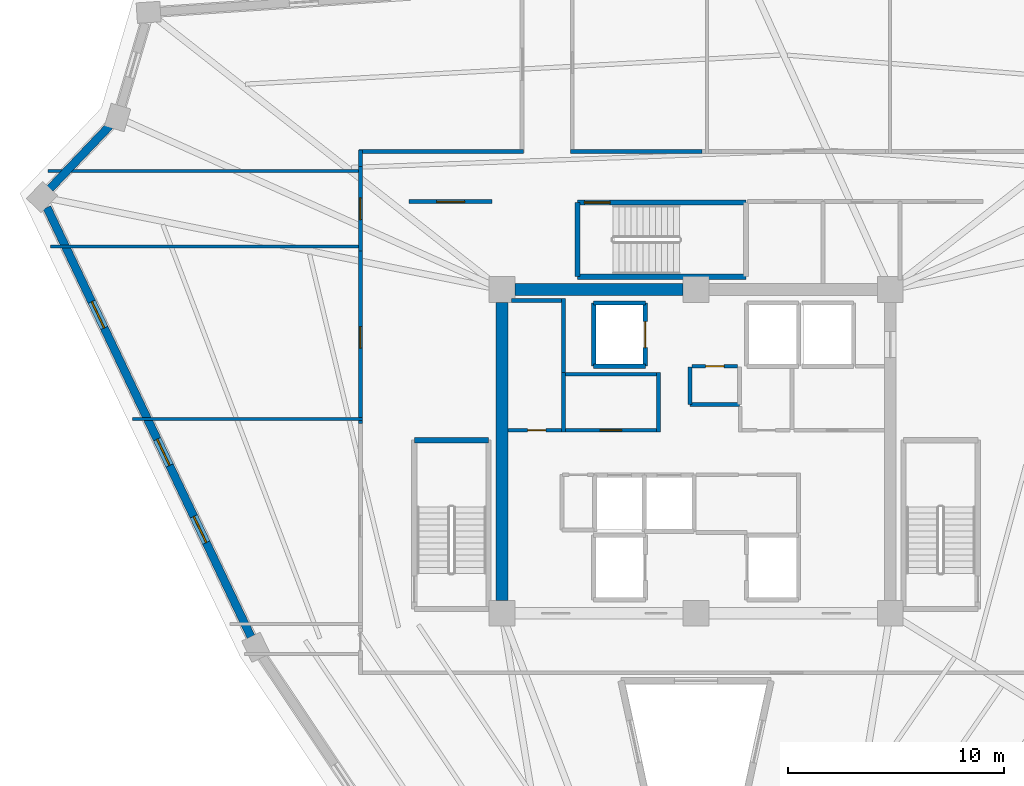
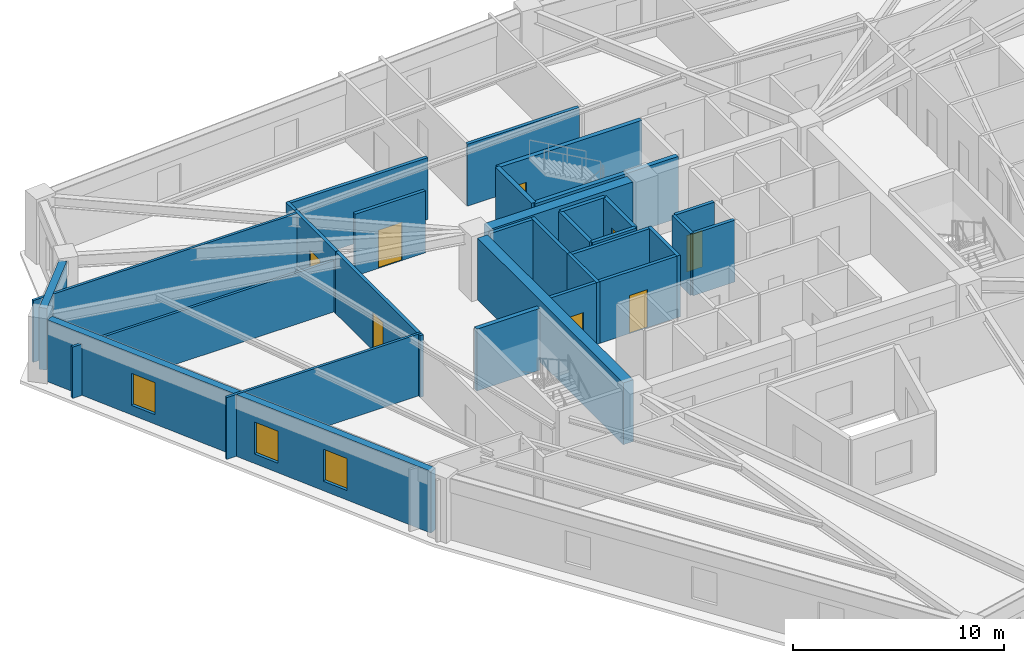
# One storey, part 5 of 8: 31 walls, 8 doors, 3 windows, 11 openings.
"""IFC4 building model written with IfcOpenShell, lengths in metres."""

import ifcopenshell
import ifcopenshell.guid

model = None  # the IFC model being written
_history = None  # IfcOwnerHistory: only IFC2X3 demands one
_inside = {}  # id of a spatial element -> (the spatial element, [elements in it])
_under = {}  # id of a project, library or spatial element -> (it, [spatial elements below it])
_declared = {}  # id of a project -> (the project, [libraries it declares])
_typed = {}  # id of a type object -> (the type object, [elements of that type])
_made_of = {}  # id of a material, layer set ... -> (it, [elements and type objects made of it])


def new_model(schema):
    """Start an empty IFC model of exactly this schema.

    Asked for "IFC4X3", IfcOpenShell would pick the latest addendum, in which some entities
    have other attributes; the version numbers below select the first issue.
    IFC2X3 requires an IfcOwnerHistory on every rooted entity: one is made here for all.
    """
    global model, _history
    if schema == "IFC4X3":
        model = ifcopenshell.file(schema_version=(4, 3, 0, 0))
    else:
        model = ifcopenshell.file(schema=schema)
    _inside.clear()
    _under.clear()
    _declared.clear()
    _typed.clear()
    _made_of.clear()
    _history = None
    if model.schema == "IFC2X3":
        org = make("IfcOrganization", Name="unknown")
        user = make(
            "IfcPersonAndOrganization",
            ThePerson=make("IfcPerson", FamilyName="unknown"),
            TheOrganization=org,
        )
        app = make(
            "IfcApplication",
            ApplicationDeveloper=org,
            Version="unknown",
            ApplicationFullName="unknown",
            ApplicationIdentifier="unknown",
        )
        _history = make(
            "IfcOwnerHistory",
            OwningUser=user,
            OwningApplication=app,
            ChangeAction="ADDED",
            CreationDate=0,
        )
    return model


def make(cls, **values):
    """One entity of the class cls with the attributes given. An attribute that is None is left unset."""
    return model.create_entity(
        cls, **{name: value for name, value in values.items() if value is not None}
    )


def rooted(cls, **values):
    """An entity with a GlobalId (a new one), such as an element, a storey or a relation."""
    return make(cls, GlobalId=ifcopenshell.guid.new(), OwnerHistory=_history, **values)


def si_unit(unit_type, name, prefix=None):
    """IfcSIUnit, for example si_unit("LENGTHUNIT", "METRE", prefix="MILLI")."""
    return make("IfcSIUnit", UnitType=unit_type, Prefix=prefix, Name=name)


def assignment(units):
    """IfcUnitAssignment: the units of a project."""
    return None if units is None else make("IfcUnitAssignment", Units=units)


def point(xyz):
    """IfcCartesianPoint."""
    return None if xyz is None else make("IfcCartesianPoint", Coordinates=xyz)


def direction(xyz):
    """IfcDirection."""
    return None if xyz is None else make("IfcDirection", DirectionRatios=xyz)


def frame(location, z_axis=None, x_axis=None):
    """IfcAxis2Placement3D, a coordinate frame: its origin and axes. An axis left out is left unset."""
    return make(
        "IfcAxis2Placement3D",
        Location=point(location),
        Axis=direction(z_axis),
        RefDirection=direction(x_axis),
    )


def frame_2d(location, x_axis=None):
    """IfcAxis2Placement2D, a coordinate frame in the plane: its origin and x axis."""
    return make(
        "IfcAxis2Placement2D", Location=point(location), RefDirection=direction(x_axis)
    )


def origin():
    """The frame at (0, 0, 0) with its axes left unset."""
    return frame((0.0, 0.0, 0.0))


def place(relative_to, where):
    """IfcLocalPlacement: puts the frame where relative to a parent placement (None: the world)."""
    return make(
        "IfcLocalPlacement", PlacementRelTo=relative_to, RelativePlacement=where
    )


def context(
    kind, dimensions, precision=None, world=None, true_north=None, identifier=None
):
    """IfcGeometricRepresentationContext, for example the 3D "Model" context."""
    return make(
        "IfcGeometricRepresentationContext",
        ContextIdentifier=identifier,
        ContextType=kind,
        CoordinateSpaceDimension=dimensions,
        Precision=precision,
        WorldCoordinateSystem=world,
        TrueNorth=true_north,
    )


def subcontext(parent, identifier, kind, view, scale=None):
    """IfcGeometricRepresentationSubContext, for example "Body" below "Model"."""
    return make(
        "IfcGeometricRepresentationSubContext",
        ContextIdentifier=identifier,
        ContextType=kind,
        ParentContext=parent,
        TargetScale=scale,
        TargetView=view,
    )


def project(units=None, contexts=None):
    """IfcProject with its units and contexts."""
    return rooted(
        "IfcProject",
        Name="project",
        RepresentationContexts=contexts,
        UnitsInContext=assignment(units),
    )


def spatial(cls, under=None, at=None, **own):
    """A site, building, storey or space (cls), placed at a placement, below another one or the project."""
    s = rooted(cls, ObjectPlacement=at, **own)
    if under is not None:
        _under.setdefault(under.id(), (under, []))[1].append(s)
    return s


def profile(cls, at=None, kind="AREA", **sizes):
    """A parametric profile (cls). Its sizes go by their IFC names, for example OverallWidth=200.0."""
    return make(cls, ProfileType=kind, Position=at, **sizes)


def rectangle(**sizes):
    """IfcRectangleProfileDef."""
    return profile("IfcRectangleProfileDef", **sizes)


def extrude(swept, where, along, depth):
    """IfcExtrudedAreaSolid: the profile swept, set in the frame where, extruded along a direction by depth."""
    return make(
        "IfcExtrudedAreaSolid",
        SweptArea=swept,
        Position=where,
        ExtrudedDirection=direction(along),
        Depth=depth,
    )


def shape(context_of_items, identifier, shape_type, items):
    """IfcShapeRepresentation: the items that make up one representation, for example the "Body"."""
    return make(
        "IfcShapeRepresentation",
        ContextOfItems=context_of_items,
        RepresentationIdentifier=identifier,
        RepresentationType=shape_type,
        Items=items,
    )


def source(mapping_origin, context_of_items, identifier, shape_type, items):
    """IfcRepresentationMap: a shape defined once, which mapped items show again and again."""
    return make(
        "IfcRepresentationMap",
        MappingOrigin=mapping_origin,
        MappedRepresentation=shape(context_of_items, identifier, shape_type, items),
    )


def transform(
    local_origin,
    x_axis=None,
    y_axis=None,
    z_axis=None,
    scale=None,
    scale2=None,
    scale3=None,
    uniform=True,
):
    """IfcCartesianTransformationOperator3D, or its non-uniform kind. x_axis, y_axis, z_axis: its Axis1, 2, 3."""
    if uniform:
        return make(
            "IfcCartesianTransformationOperator3D",
            Axis1=direction(x_axis),
            Axis2=direction(y_axis),
            LocalOrigin=point(local_origin),
            Scale=scale,
            Axis3=direction(z_axis),
        )
    return make(
        "IfcCartesianTransformationOperator3DnonUniform",
        Axis1=direction(x_axis),
        Axis2=direction(y_axis),
        LocalOrigin=point(local_origin),
        Scale=scale,
        Axis3=direction(z_axis),
        Scale2=scale2,
        Scale3=scale3,
    )


def mapped(mapping_source, mapping_target):
    """IfcMappedItem: shows the shape of a source again, moved by a transform."""
    return make(
        "IfcMappedItem", MappingSource=mapping_source, MappingTarget=mapping_target
    )


def material(Name=None, Category=None):
    """IfcMaterial."""
    return make("IfcMaterial", Name=Name, Category=Category)


def layer(
    of_material, thickness, ventilated=None, Name=None, Category=None, Priority=None
):
    """IfcMaterialLayer: one layer of a wall or slab, of a material (None: an air gap)."""
    return make(
        "IfcMaterialLayer",
        Material=of_material,
        LayerThickness=thickness,
        IsVentilated=ventilated,
        Name=Name,
        Category=Category,
        Priority=Priority,
    )


def layer_set(layers, Name=None):
    """IfcMaterialLayerSet."""
    return make("IfcMaterialLayerSet", MaterialLayers=layers, LayerSetName=Name)


def made_of(thing, what):
    """Note that an element or type object is made of a material, layer set ...; save() writes the relation."""
    if what is not None:
        _made_of.setdefault(what.id(), (what, []))[1].append(thing)
    return thing


def type_object(cls, material=None, **own):
    """A type object (cls), such as IfcWallType, which elements share."""
    return made_of(rooted(cls, **own), material)


def element(
    cls,
    number,
    at=None,
    inside=None,
    cuts=None,
    type_object=None,
    material=None,
    context=None,
    identifier="Body",
    shape_type=None,
    held_by="IfcProductDefinitionShape",
    body=None,
    shapes=None,
    **own,
):
    """One element of the class cls, such as IfcWall. Its Tag is "e" and its number.

    at: its placement. inside: the storey or other place that contains it. cuts: it is an
    opening in that element (IfcRelVoidsElement). A single representation is given by context,
    identifier, shape_type and body (its items); several are given by shapes. held_by: the class
    of the entity that holds the representations. save() writes the other relations.
    """
    e = rooted(cls, Tag="e%d" % number, ObjectPlacement=at, **own)
    if body is not None:
        shapes = [shape(context, identifier, shape_type, body)]
    if shapes is not None:
        e.Representation = make(held_by, Representations=shapes)
    if inside is not None:
        _inside.setdefault(inside.id(), (inside, []))[1].append(e)
    if cuts is not None:
        rooted(
            "IfcRelVoidsElement", RelatingBuildingElement=cuts, RelatedOpeningElement=e
        )
    if type_object is not None:
        _typed.setdefault(type_object.id(), (type_object, []))[1].append(e)
    return made_of(e, material)


def fill(opening, filler):
    """IfcRelFillsElement: the door or window that sits in an opening."""
    return rooted(
        "IfcRelFillsElement",
        RelatingOpeningElement=opening,
        RelatedBuildingElement=filler,
    )


def aggregate(whole, parts):
    """IfcRelAggregates: a whole, such as a stair, and the parts it consists of."""
    return rooted("IfcRelAggregates", RelatingObject=whole, RelatedObjects=parts)


def save(model, path):
    """Write the relations noted so far, then the file.

    IfcRelAggregates (storeys below a building ...), IfcRelContainedInSpatialStructure (elements
    in a storey), IfcRelDefinesByType, IfcRelAssociatesMaterial and IfcRelDeclares: one each for
    every whole, place, type object, material and project.
    """
    for whole, parts in _under.values():
        aggregate(whole, parts)
    for where, things in _inside.values():
        rooted(
            "IfcRelContainedInSpatialStructure",
            RelatedElements=things,
            RelatingStructure=where,
        )
    for kind, things in _typed.values():
        rooted("IfcRelDefinesByType", RelatedObjects=things, RelatingType=kind)
    for what, things in _made_of.values():
        rooted("IfcRelAssociatesMaterial", RelatedObjects=things, RelatingMaterial=what)
    for by, libraries in _declared.values():
        rooted("IfcRelDeclares", RelatingContext=by, RelatedDefinitions=libraries)
    model.write(path)


model = new_model("IFC4")

# Units and contexts
model_context = context("Model", 3, precision=1e-05, world=origin(), true_north=direction((0.0, 1.0)))
body_context = subcontext(model_context, "Body", "Model", "MODEL_VIEW")
ifc_project = project(units=[si_unit("LENGTHUNIT", "METRE"), si_unit("AREAUNIT", "SQUARE_METRE"), si_unit("VOLUMEUNIT", "CUBIC_METRE"), si_unit("PLANEANGLEUNIT", "RADIAN"), si_unit("MASSUNIT", "GRAM", prefix="KILO")], contexts=[model_context])

# Site, building, storey
site_placement = place(None, origin())
site = spatial("IfcSite", under=ifc_project, at=site_placement, CompositionType="ELEMENT")
building_placement = place(site_placement, origin())
building = spatial("IfcBuilding", under=site, at=building_placement, Name="Liaohun Quay Tower", CompositionType="ELEMENT")
storey_placement = place(building_placement, frame((0.0, 0.0, 301.5)))
storey = spatial("IfcBuildingStorey", under=building, at=storey_placement, Name="L78", CompositionType="ELEMENT", Elevation=301.5)

# Walls
ifc_material_1 = material(Name="Concrete C50", Category="concrete")
ifc_layer_1 = layer(ifc_material_1, 0.550048828125, Name="Concrete C50", Category="concrete")
ifc_layer_set_1 = layer_set([ifc_layer_1], Name="Concrete C50")
wall_type_1 = type_object("IfcWallType", Name="WAL-COR-Z4", PredefinedType="SHEAR", material=ifc_layer_set_1)
wall_1_placement = place(storey_placement, frame((51.60009765625, 61.5, 0.0), z_axis=(0.0, 0.0, 1.0), x_axis=(1.0, 0.0, 0.0)))
element("IfcWall", 1, at=wall_1_placement, inside=storey, type_object=wall_type_1, Name="L78 Central Core Shear Wall N-W", PredefinedType="SHEAR", context=body_context, shape_type="SweptSolid", body=[
    extrude(rectangle(XDim=7.7998046875, YDim=0.550048828125, at=frame_2d((3.89990234375, 0.0))), origin(), (0.0, 0.0, 1.0), 3.570068359375),
])
wall_2_placement = place(storey_placement, frame((51.0, 47.10009765625, 0.0), z_axis=(0.0, 0.0, 1.0), x_axis=(0.0, 1.0, 0.0)))
element("IfcWall", 2, at=wall_2_placement, inside=storey, type_object=wall_type_1, Name="L78 Central Core Shear Wall W", PredefinedType="SHEAR", context=body_context, shape_type="SweptSolid", body=[
    extrude(rectangle(XDim=13.7998046875, YDim=0.550048828125, at=frame_2d((6.89990234375, 0.0))), origin(), (0.0, 0.0, 1.0), 3.570068359375),
])
ifc_material_2 = material(Name="Precast concrete C50 insulated sandwich", Category="concrete")
ifc_layer_2 = layer(ifc_material_2, 0.3798828125, Name="Precast concrete C50 insulated sandwich", Category="concrete")
ifc_layer_set_2 = layer_set([ifc_layer_2], Name="Precast concrete C50 insulated sandwich")
wall_type_2 = type_object("IfcWallType", Name="WAL-EXT-Z34", PredefinedType="SOLIDWALL", material=ifc_layer_set_2)
wall_3_placement = place(storey_placement, frame((32.81591796875, 69.089111328125, 0.0), z_axis=(0.0, 0.0, 1.0), x_axis=(-0.689291723618, -0.72448389889, 0.0)))
element("IfcWall", 3, at=wall_3_placement, inside=storey, type_object=wall_type_2, Name="L78 Brutalist Precast Pier Wall 09", PredefinedType="SOLIDWALL", context=body_context, shape_type="SweptSolid", body=[
    extrude(rectangle(XDim=4.009765625, YDim=0.3798828125, at=frame_2d((2.0048828125, 0.0))), origin(), (0.0, 0.0, 1.0), 3.570068359375),
])

# Wall, openings, windows
wall_4_placement = place(storey_placement, frame((29.912109375, 65.304931640625, 0.0), z_axis=(0.0, 0.0, 1.0), x_axis=(0.429331226257, -0.903147107708, 0.0)))
wall_4 = element("IfcWall", 4, at=wall_4_placement, inside=storey, type_object=wall_type_2, Name="L78 Brutalist Precast Pier Wall 10", PredefinedType="SOLIDWALL", context=body_context, shape_type="SweptSolid", body=[
    extrude(rectangle(XDim=22.029541015625, YDim=0.3798828125, at=frame_2d((11.0146484375, 0.0))), origin(), (0.0, 0.0, 1.0), 3.570068359375),
])
shared_shape_1 = source(origin(), body_context, "Body", "SweptSolid", [
    extrude(rectangle(XDim=1.35009765625, YDim=1.85009765625, at=frame_2d((0.675048828125, 0.925048828125))), frame((0.0, 0.199951171875, 0.0), z_axis=(0.0, -1.0, 0.0), x_axis=(1.0, 0.0, 0.0)), (0.0, 0.0, 1.0), 0.39990234375),
])
opening_1_placement = place(wall_4_placement, frame((4.83203125, 0.0, 0.550048828125)))
opening_1 = element("IfcOpeningElement", 5, at=opening_1_placement, cuts=wall_4, Name="Opening W04", PredefinedType="OPENING", context=body_context, shape_type="MappedRepresentation", body=[
    mapped(shared_shape_1, transform((0.0, 0.0, 0.0), x_axis=(1.0, 0.0, 0.0), y_axis=(0.0, 1.0, 0.0), z_axis=(0.0, 0.0, 1.0), scale=1.0)),
])
opening_2_placement = place(wall_4_placement, frame((11.889892578125, 0.0, 0.550048828125)))
opening_2 = element("IfcOpeningElement", 6, at=opening_2_placement, cuts=wall_4, Name="Opening W04", PredefinedType="OPENING", context=body_context, shape_type="MappedRepresentation", body=[
    mapped(shared_shape_1, transform((0.0, 0.0, 0.0), x_axis=(1.0, 0.0, 0.0), y_axis=(0.0, 1.0, 0.0), z_axis=(0.0, 0.0, 1.0), scale=1.0)),
])
opening_3_placement = place(wall_4_placement, frame((15.846923828125, 0.0, 0.550048828125)))
opening_3 = element("IfcOpeningElement", 7, at=opening_3_placement, cuts=wall_4, Name="Opening W04", PredefinedType="OPENING", context=body_context, shape_type="MappedRepresentation", body=[
    mapped(shared_shape_1, transform((0.0, 0.0, 0.0), x_axis=(1.0, 0.0, 0.0), y_axis=(0.0, 1.0, 0.0), z_axis=(0.0, 0.0, 1.0), scale=1.0)),
])
ifc_material_3 = material(Name="Triple Low-E argon glazing in thermally broken aluminium", Category="aluminium")
window_type = type_object("IfcWindowType", Name="WIN-PUN-Z4", PartitioningType="SINGLE_PANEL", PredefinedType="WINDOW", material=ifc_material_3)
shared_shape_2 = source(origin(), body_context, "Body", "SweptSolid", [
    extrude(rectangle(XDim=1.35009765625, YDim=1.85009765625, at=frame_2d((0.675048828125, 0.925048828125))), frame((0.0, 0.030029296875, 0.0), z_axis=(0.0, -1.0, 0.0), x_axis=(1.0, 0.0, 0.0)), (0.0, 0.0, 1.0), 0.06005859375),
])
window_1_placement = place(opening_1_placement, origin())
window_1 = element("IfcWindow", 8, at=window_1_placement, inside=storey, type_object=window_type, Name="L78 Recessed Cold-Climate Punched Window 10-1", OverallHeight=1.85009765625, OverallWidth=1.35009765625, PartitioningType="SINGLE_PANEL", PredefinedType="WINDOW", context=body_context, shape_type="MappedRepresentation", body=[
    mapped(shared_shape_2, transform((0.0, 0.0, 0.0), x_axis=(1.0, 0.0, 0.0), y_axis=(0.0, 1.0, 0.0), z_axis=(0.0, 0.0, 1.0), scale=1.0)),
])
fill(opening_1, window_1)
window_2_placement = place(opening_2_placement, origin())
window_2 = element("IfcWindow", 9, at=window_2_placement, inside=storey, type_object=window_type, Name="L78 Recessed Cold-Climate Punched Window 10-2", OverallHeight=1.85009765625, OverallWidth=1.35009765625, PartitioningType="SINGLE_PANEL", PredefinedType="WINDOW", context=body_context, shape_type="MappedRepresentation", body=[
    mapped(shared_shape_2, transform((0.0, 0.0, 0.0), x_axis=(1.0, 0.0, 0.0), y_axis=(0.0, 1.0, 0.0), z_axis=(0.0, 0.0, 1.0), scale=1.0)),
])
fill(opening_2, window_2)
window_3_placement = place(opening_3_placement, origin())
window_3 = element("IfcWindow", 10, at=window_3_placement, inside=storey, type_object=window_type, Name="L78 Recessed Cold-Climate Punched Window 10-3", OverallHeight=1.85009765625, OverallWidth=1.35009765625, PartitioningType="SINGLE_PANEL", PredefinedType="WINDOW", context=body_context, shape_type="MappedRepresentation", body=[
    mapped(shared_shape_2, transform((0.0, 0.0, 0.0), x_axis=(1.0, 0.0, 0.0), y_axis=(0.0, 1.0, 0.0), z_axis=(0.0, 0.0, 1.0), scale=1.0)),
])
fill(opening_3, window_3)

# Wall, opening, door
ifc_material_4 = material(Name="Autoclaved aerated concrete blockwork", Category="masonry")
ifc_layer_3 = layer(ifc_material_4, 0.179931640625, Name="Autoclaved aerated concrete blockwork", Category="masonry")
ifc_layer_set_3 = layer_set([ifc_layer_3], Name="Autoclaved aerated concrete blockwork")
wall_type_3 = type_object("IfcWallType", Name="WAL-PRT-COR", PredefinedType="PARTITIONING", material=ifc_layer_set_3)
wall_5_placement = place(storey_placement, frame((53.93994140625, 54.97998046875, 0.0), z_axis=(0.0, 0.0, 1.0), x_axis=(1.0, 0.0, 0.0)))
wall_5 = element("IfcWall", 11, at=wall_5_placement, inside=storey, type_object=wall_type_3, Name="L78 Interior Partition Wall 002", PredefinedType="PARTITIONING", context=body_context, shape_type="SweptSolid", body=[
    extrude(rectangle(XDim=4.219970703125, YDim=0.179931640625, at=frame_2d((2.10986328125, 0.0))), origin(), (0.0, 0.0, 1.0), 3.570068359375),
])
shared_shape_3 = source(origin(), body_context, "Body", "SweptSolid", [
    extrude(rectangle(XDim=1.0, YDim=2.199951171875, at=frame_2d((0.5, 1.10009765625))), frame((0.0, 0.099853515625, 0.0), z_axis=(0.0, -1.0, 0.0), x_axis=(1.0, 0.0, 0.0)), (0.0, 0.0, 1.0), 0.199951171875),
])
opening_4_placement = place(wall_5_placement, frame((1.610107421875, 0.0, 0.0)))
opening_4 = element("IfcOpeningElement", 12, at=opening_4_placement, cuts=wall_5, Name="Opening OD1", PredefinedType="OPENING", context=body_context, shape_type="MappedRepresentation", body=[
    mapped(shared_shape_3, transform((0.0, 0.0, 0.0), x_axis=(1.0, 0.0, 0.0), y_axis=(0.0, 1.0, 0.0), z_axis=(0.0, 0.0, 1.0), scale=1.0)),
])
ifc_material_5 = material(Name="Solid-core oak veneer timber leaf in steel frame", Category="steel")
door_type_1 = type_object("IfcDoorType", Name="DOR-OFF-1000", OperationType="NOTDEFINED", PredefinedType="DOOR", material=ifc_material_5)
shared_shape_4 = source(origin(), body_context, "Body", "SweptSolid", [
    extrude(rectangle(XDim=1.0, YDim=2.199951171875, at=frame_2d((0.5, 1.10009765625))), frame((0.0, 0.02490234375, 0.0), z_axis=(0.0, -1.0, 0.0), x_axis=(1.0, 0.0, 0.0)), (0.0, 0.0, 1.0), 0.050048828125),
])
door_1_placement = place(opening_4_placement, origin())
door_1 = element("IfcDoor", 13, at=door_1_placement, inside=storey, type_object=door_type_1, Name="L78 Core Staff Pantry and Tea Room Door", OperationType="SINGLE_SWING_RIGHT", OverallHeight=2.199951171875, OverallWidth=1.0, PredefinedType="DOOR", context=body_context, shape_type="MappedRepresentation", body=[
    mapped(shared_shape_4, transform((0.0, 0.0, 0.0), x_axis=(1.0, 0.0, 0.0), y_axis=(0.0, 1.0, 0.0), z_axis=(0.0, 0.0, 1.0), scale=1.0)),
])
fill(opening_4, door_1)

wall_6_placement = place(storey_placement, frame((51.27490234375, 54.97998046875, 0.0), z_axis=(0.0, 0.0, 1.0), x_axis=(1.0, 0.0, 0.0)))
wall_6 = element("IfcWall", 14, at=wall_6_placement, inside=storey, type_object=wall_type_3, Name="L78 Interior Partition Wall 003", PredefinedType="PARTITIONING", context=body_context, shape_type="SweptSolid", body=[
    extrude(rectangle(XDim=2.485107421875, YDim=0.179931640625, at=frame_2d((1.24267578125, 0.0))), origin(), (0.0, 0.0, 1.0), 3.570068359375),
])
shared_shape_5 = source(origin(), body_context, "Body", "SweptSolid", [
    extrude(rectangle(XDim=0.85009765625, YDim=2.10009765625, at=frame_2d((0.425048828125, 1.050048828125))), frame((0.0, 0.099853515625, 0.0), z_axis=(0.0, -1.0, 0.0), x_axis=(1.0, 0.0, 0.0)), (0.0, 0.0, 1.0), 0.199951171875),
])
opening_5_placement = place(wall_6_placement, frame((0.9150390625, 0.0, 0.0)))
opening_5 = element("IfcOpeningElement", 15, at=opening_5_placement, cuts=wall_6, Name="Opening AD1", PredefinedType="OPENING", context=body_context, shape_type="MappedRepresentation", body=[
    mapped(shared_shape_5, transform((0.0, 0.0, 0.0), x_axis=(1.0, 0.0, 0.0), y_axis=(0.0, 1.0, 0.0), z_axis=(0.0, 0.0, 1.0), scale=1.0)),
])
ifc_material_6 = material(Name="Steel riser inspection fire door", Category="steel")
door_type_2 = type_object("IfcDoorType", Name="DOR-SHF-850", OperationType="NOTDEFINED", PredefinedType="DOOR", material=ifc_material_6)
shared_shape_6 = source(origin(), body_context, "Body", "SweptSolid", [
    extrude(rectangle(XDim=0.85009765625, YDim=2.10009765625, at=frame_2d((0.425048828125, 1.050048828125))), frame((0.0, 0.02490234375, 0.0), z_axis=(0.0, -1.0, 0.0), x_axis=(1.0, 0.0, 0.0)), (0.0, 0.0, 1.0), 0.050048828125),
])
door_2_placement = place(opening_5_placement, origin())
door_2 = element("IfcDoor", 16, at=door_2_placement, inside=storey, type_object=door_type_2, Name="L78 Core High-Zone Archive and Riser Store Door", OperationType="SINGLE_SWING_LEFT", OverallHeight=2.10009765625, OverallWidth=0.85009765625, PredefinedType="DOOR", context=body_context, shape_type="MappedRepresentation", body=[
    mapped(shared_shape_6, transform((0.0, 0.0, 0.0), x_axis=(1.0, 0.0, 0.0), y_axis=(0.0, 1.0, 0.0), z_axis=(0.0, 0.0, 1.0), scale=1.0)),
])
fill(opening_5, door_2)

wall_7_placement = place(storey_placement, frame((59.81005859375, 57.949951171875, 0.0), z_axis=(0.0, 0.0, 1.0), x_axis=(1.0, 0.0, 0.0)))
wall_7 = element("IfcWall", 17, at=wall_7_placement, inside=storey, type_object=wall_type_3, Name="L78 Interior Partition Wall 006", PredefinedType="PARTITIONING", context=body_context, shape_type="SweptSolid", body=[
    extrude(rectangle(XDim=2.10986328125, YDim=0.179931640625, at=frame_2d((1.054931640625, 0.0))), origin(), (0.0, 0.0, 1.0), 3.570068359375),
])
opening_6_placement = place(wall_7_placement, frame((0.635009765625, 0.0, 0.0)))
opening_6 = element("IfcOpeningElement", 18, at=opening_6_placement, cuts=wall_7, Name="Opening AD1", PredefinedType="OPENING", context=body_context, shape_type="MappedRepresentation", body=[
    mapped(shared_shape_5, transform((0.0, 0.0, 0.0), x_axis=(1.0, 0.0, 0.0), y_axis=(0.0, 1.0, 0.0), z_axis=(0.0, 0.0, 1.0), scale=1.0)),
])
door_3_placement = place(opening_6_placement, origin())
door_3 = element("IfcDoor", 19, at=door_3_placement, inside=storey, type_object=door_type_2, Name="L78 Core Janitor and Cleaner Store Door", OperationType="SINGLE_SWING_RIGHT", OverallHeight=2.10009765625, OverallWidth=0.85009765625, PredefinedType="DOOR", context=body_context, shape_type="MappedRepresentation", body=[
    mapped(shared_shape_6, transform((0.0, 0.0, 0.0), x_axis=(1.0, 0.0, 0.0), y_axis=(0.0, 1.0, 0.0), z_axis=(0.0, 0.0, 1.0), scale=1.0)),
])
fill(opening_6, door_3)

wall_8_placement = place(storey_placement, frame((46.699951171875, 65.580078125, 0.0), z_axis=(0.0, 0.0, 1.0), x_axis=(1.0, 0.0, 0.0)))
wall_8 = element("IfcWall", 20, at=wall_8_placement, inside=storey, type_object=wall_type_3, Name="L78 Interior Partition Wall 013", PredefinedType="PARTITIONING", context=body_context, shape_type="SweptSolid", body=[
    extrude(rectangle(XDim=3.840087890625, YDim=0.179931640625, at=frame_2d((1.919921875, 0.0))), origin(), (0.0, 0.0, 1.0), 3.570068359375),
])
shared_shape_7 = source(origin(), body_context, "Body", "SweptSolid", [
    extrude(rectangle(XDim=1.300048828125, YDim=2.199951171875, at=frame_2d((0.64990234375, 1.10009765625))), frame((0.0, 0.099853515625, 0.0), z_axis=(0.0, -1.0, 0.0), x_axis=(1.0, 0.0, 0.0)), (0.0, 0.0, 1.0), 0.199951171875),
])
opening_7_placement = place(wall_8_placement, frame((1.27001953125, 0.0, 0.0)))
opening_7 = element("IfcOpeningElement", 21, at=opening_7_placement, cuts=wall_8, Name="Opening FD1", PredefinedType="OPENING", context=body_context, shape_type="MappedRepresentation", body=[
    mapped(shared_shape_7, transform((0.0, 0.0, 0.0), x_axis=(1.0, 0.0, 0.0), y_axis=(0.0, 1.0, 0.0), z_axis=(0.0, 0.0, 1.0), scale=1.0)),
])
ifc_material_7 = material(Name="Galvanised steel smokeproof fire door", Category="steel")
door_type_3 = type_object("IfcDoorType", Name="DOR-FFL-1300", OperationType="NOTDEFINED", PredefinedType="DOOR", material=ifc_material_7)
shared_shape_8 = source(origin(), body_context, "Body", "SweptSolid", [
    extrude(rectangle(XDim=1.300048828125, YDim=2.199951171875, at=frame_2d((0.64990234375, 1.10009765625))), frame((0.0, 0.02490234375, 0.0), z_axis=(0.0, -1.0, 0.0), x_axis=(1.0, 0.0, 0.0)), (0.0, 0.0, 1.0), 0.050048828125),
])
door_4_placement = place(opening_7_placement, origin())
door_4 = element("IfcDoor", 22, at=door_4_placement, inside=storey, type_object=door_type_3, Name="L78 West Core Vestibule Door", OperationType="SINGLE_SWING_LEFT", OverallHeight=2.199951171875, OverallWidth=1.300048828125, PredefinedType="DOOR", context=body_context, shape_type="MappedRepresentation", body=[
    mapped(shared_shape_8, transform((0.0, 0.0, 0.0), x_axis=(1.0, 0.0, 0.0), y_axis=(0.0, 1.0, 0.0), z_axis=(0.0, 0.0, 1.0), scale=1.0)),
])
fill(opening_7, door_4)

wall_9_placement = place(storey_placement, frame((44.43994140625, 63.284912109375, 0.0), z_axis=(0.0, 0.0, 1.0), x_axis=(0.0, 1.0, 0.0)))
wall_9 = element("IfcWall", 23, at=wall_9_placement, inside=storey, type_object=wall_type_3, Name="L78 Interior Partition Wall 020", PredefinedType="PARTITIONING", context=body_context, shape_type="SweptSolid", body=[
    extrude(rectangle(XDim=3.93017578125, YDim=0.179931640625, at=frame_2d((1.965087890625, 0.0))), origin(), (0.0, 0.0, 1.0), 3.570068359375),
])
opening_8_placement = place(wall_9_placement, frame((1.465087890625, 0.0, 0.0)))
opening_8 = element("IfcOpeningElement", 24, at=opening_8_placement, cuts=wall_9, Name="Opening OD1", PredefinedType="OPENING", context=body_context, shape_type="MappedRepresentation", body=[
    mapped(shared_shape_3, transform((0.0, 0.0, 0.0), x_axis=(1.0, 0.0, 0.0), y_axis=(0.0, 1.0, 0.0), z_axis=(0.0, 0.0, 1.0), scale=1.0)),
])
door_5_placement = place(opening_8_placement, origin())
door_5 = element("IfcDoor", 25, at=door_5_placement, inside=storey, type_object=door_type_1, Name="L78 Staff Tea Kitchen and Pantry 06 Door", OperationType="SINGLE_SWING_RIGHT", OverallHeight=2.199951171875, OverallWidth=1.0, PredefinedType="DOOR", context=body_context, shape_type="MappedRepresentation", body=[
    mapped(shared_shape_4, transform((0.0, 0.0, 0.0), x_axis=(1.0, 0.0, 0.0), y_axis=(0.0, 1.0, 0.0), z_axis=(0.0, 0.0, 1.0), scale=1.0)),
])
fill(opening_8, door_5)

wall_10_placement = place(storey_placement, frame((44.43994140625, 55.284912109375, 0.0), z_axis=(0.0, 0.0, 1.0), x_axis=(0.0, 1.0, 0.0)))
wall_10 = element("IfcWall", 26, at=wall_10_placement, inside=storey, type_object=wall_type_3, Name="L78 Interior Partition Wall 021", PredefinedType="PARTITIONING", context=body_context, shape_type="SweptSolid", body=[
    extrude(rectangle(XDim=8.0, YDim=0.179931640625, at=frame_2d((4.0, 0.0))), origin(), (0.0, 0.0, 1.0), 3.570068359375),
])
opening_9_placement = place(wall_10_placement, frame((3.5, 0.0, 0.0)))
opening_9 = element("IfcOpeningElement", 27, at=opening_9_placement, cuts=wall_10, Name="Opening OD1", PredefinedType="OPENING", context=body_context, shape_type="MappedRepresentation", body=[
    mapped(shared_shape_3, transform((0.0, 0.0, 0.0), x_axis=(1.0, 0.0, 0.0), y_axis=(0.0, 1.0, 0.0), z_axis=(0.0, 0.0, 1.0), scale=1.0)),
])
door_6_placement = place(opening_9_placement, origin())
door_6 = element("IfcDoor", 28, at=door_6_placement, inside=storey, type_object=door_type_1, Name="L78 Engineering Model Workshop 07 Door", OperationType="SINGLE_SWING_LEFT", OverallHeight=2.199951171875, OverallWidth=1.0, PredefinedType="DOOR", context=body_context, shape_type="MappedRepresentation", body=[
    mapped(shared_shape_4, transform((0.0, 0.0, 0.0), x_axis=(1.0, 0.0, 0.0), y_axis=(0.0, 1.0, 0.0), z_axis=(0.0, 0.0, 1.0), scale=1.0)),
])
fill(opening_9, door_6)

# Walls
wall_11_placement = place(storey_placement, frame((59.719970703125, 56.179931640625, 0.0), z_axis=(0.0, 0.0, 1.0), x_axis=(0.0, 1.0, 0.0)))
element("IfcWall", 29, at=wall_11_placement, inside=storey, type_object=wall_type_3, Name="L78 Interior Partition Wall 028", PredefinedType="PARTITIONING", context=body_context, shape_type="SweptSolid", body=[
    extrude(rectangle(XDim=1.739990234375, YDim=0.179931640625, at=frame_2d((0.8701171875, 0.0))), origin(), (0.0, 0.0, 1.0), 3.570068359375),
])
wall_12_placement = place(storey_placement, frame((59.719970703125, 56.179931640625, 0.0), z_axis=(0.0, 0.0, 1.0), x_axis=(1.0, 0.0, 0.0)))
element("IfcWall", 30, at=wall_12_placement, inside=storey, type_object=wall_type_3, Name="L78 Interior Partition Wall 030", PredefinedType="PARTITIONING", context=body_context, shape_type="SweptSolid", body=[
    extrude(rectangle(XDim=2.2900390625, YDim=0.179931640625, at=frame_2d((1.14501953125, 0.0))), origin(), (0.0, 0.0, 1.0), 3.570068359375),
])
wall_13_placement = place(storey_placement, frame((54.18994140625, 67.909912109375, 0.0), z_axis=(0.0, 0.0, 1.0), x_axis=(1.0, 0.0, 0.0)))
element("IfcWall", 31, at=wall_13_placement, inside=storey, type_object=wall_type_3, Name="L78 Interior Partition Wall 042", PredefinedType="PARTITIONING", context=body_context, shape_type="SweptSolid", body=[
    extrude(rectangle(XDim=6.094970703125, YDim=0.179931640625, at=frame_2d((3.04736328125, 0.0))), origin(), (0.0, 0.0, 1.0), 3.570068359375),
])
wall_14_placement = place(storey_placement, frame((44.3701171875, 67.909912109375, 0.0), z_axis=(0.0, 0.0, 1.0), x_axis=(1.0, 0.0, 0.0)))
element("IfcWall", 32, at=wall_14_placement, inside=storey, type_object=wall_type_3, Name="L78 Interior Partition Wall 043", PredefinedType="PARTITIONING", context=body_context, shape_type="SweptSolid", body=[
    extrude(rectangle(XDim=7.639892578125, YDim=0.179931640625, at=frame_2d((3.81982421875, 0.0))), origin(), (0.0, 0.0, 1.0), 3.570068359375),
])
wall_15_placement = place(storey_placement, frame((44.43994140625, 67.215087890625, 0.0), z_axis=(0.0, 0.0, 1.0), x_axis=(0.0, 1.0, 0.0)))
element("IfcWall", 33, at=wall_15_placement, inside=storey, type_object=wall_type_3, Name="L78 Interior Partition Wall 044", PredefinedType="PARTITIONING", context=body_context, shape_type="SweptSolid", body=[
    extrude(rectangle(XDim=0.764892578125, YDim=0.179931640625, at=frame_2d((0.38232421875, 0.0))), origin(), (0.0, 0.0, 1.0), 3.570068359375),
])
for number, where, z_axis, x_axis, name in (
    (34, (53.85009765625, 54.889892578125, 0.0), (0.0, 0.0, 1.0), (0.0, 1.0, 0.0), "L78 Interior Partition Wall 061"),
    (35, (58.25, 54.889892578125, 0.0), (0.0, 0.0, 1.0), (0.0, 1.0, 0.0), "L78 Interior Partition Wall 062"),
):
    element("IfcWall", number, at=place(storey_placement, frame(where, z_axis=z_axis, x_axis=x_axis)), inside=storey, type_object=wall_type_3, Name=name, PredefinedType="PARTITIONING", context=body_context, shape_type="SweptSolid", body=[
        extrude(rectangle(XDim=2.780029296875, YDim=0.179931640625, at=frame_2d((1.39013671875, 0.0))), origin(), (0.0, 0.0, 1.0), 3.570068359375),
    ])
wall_16_placement = place(storey_placement, frame((53.93994140625, 57.580078125, 0.0), z_axis=(0.0, 0.0, 1.0), x_axis=(1.0, 0.0, 0.0)))
element("IfcWall", 36, at=wall_16_placement, inside=storey, type_object=wall_type_3, Name="L78 Interior Partition Wall 063", PredefinedType="PARTITIONING", context=body_context, shape_type="SweptSolid", body=[
    extrude(rectangle(XDim=4.219970703125, YDim=0.179931640625, at=frame_2d((2.10986328125, 0.0))), origin(), (0.0, 0.0, 1.0), 3.570068359375),
])
wall_17_placement = place(storey_placement, frame((53.85009765625, 57.669921875, 0.0), z_axis=(0.0, 0.0, 1.0), x_axis=(0.0, 1.0, 0.0)))
element("IfcWall", 37, at=wall_17_placement, inside=storey, type_object=wall_type_3, Name="L78 Interior Partition Wall 064", PredefinedType="PARTITIONING", context=body_context, shape_type="SweptSolid", body=[
    extrude(rectangle(XDim=3.420166015625, YDim=0.179931640625, at=frame_2d((1.7099609375, 0.0))), origin(), (0.0, 0.0, 1.0), 3.570068359375),
])
wall_18_placement = place(storey_placement, frame((51.43701171875, 61.0, 0.0), z_axis=(0.0, 0.0, 1.0), x_axis=(1.0, 0.0, 0.0)))
element("IfcWall", 38, at=wall_18_placement, inside=storey, type_object=wall_type_3, Name="L78 Interior Partition Wall 065", PredefinedType="PARTITIONING", context=body_context, shape_type="SweptSolid", body=[
    extrude(rectangle(XDim=2.322998046875, YDim=0.179931640625, at=frame_2d((1.16162109375, 0.0))), origin(), (0.0, 0.0, 1.0), 3.570068359375),
])
ifc_material_8 = material(Name="Gypsum board on twin steel studs", Category="steel")
ifc_layer_4 = layer(ifc_material_8, 0.139892578125, Name="Gypsum board on twin steel studs", Category="steel")
ifc_layer_set_4 = layer_set([ifc_layer_4], Name="Gypsum board on twin steel studs")
wall_type_4 = type_object("IfcWallType", Name="WAL-PRT-OFF", PredefinedType="PARTITIONING", material=ifc_layer_set_4)
wall_19_placement = place(storey_placement, frame((44.5400390625, 55.5, 0.0), z_axis=(0.0, 0.0, 1.0), x_axis=(-1.0, 0.0, 0.0)))
element("IfcWall", 39, at=wall_19_placement, inside=storey, type_object=wall_type_4, Name="L78 Interior Partition Wall 051", PredefinedType="PARTITIONING", context=body_context, shape_type="SweptSolid", body=[
    extrude(rectangle(XDim=10.6640625, YDim=0.139892578125, at=frame_2d((5.33203125, 0.0))), origin(), (0.0, 0.0, 1.0), 3.570068359375),
])
wall_20_placement = place(storey_placement, frame((44.5400390625, 63.5, 0.0), z_axis=(0.0, 0.0, 1.0), x_axis=(-1.0, 0.0, 0.0)))
element("IfcWall", 40, at=wall_20_placement, inside=storey, type_object=wall_type_4, Name="L78 Interior Partition Wall 052", PredefinedType="PARTITIONING", context=body_context, shape_type="SweptSolid", body=[
    extrude(rectangle(XDim=14.467041015625, YDim=0.139892578125, at=frame_2d((7.2333984375, 0.0))), origin(), (0.0, 0.0, 1.0), 2.967041015625),
])
wall_21_placement = place(storey_placement, frame((44.5400390625, 67.0, 0.0), z_axis=(0.0, 0.0, 1.0), x_axis=(-1.0, 0.0, 0.0)))
element("IfcWall", 41, at=wall_21_placement, inside=storey, type_object=wall_type_4, Name="L78 Interior Partition Wall 053", PredefinedType="PARTITIONING", context=body_context, shape_type="SweptSolid", body=[
    extrude(rectangle(XDim=14.5810546875, YDim=0.139892578125, at=frame_2d((7.29052734375, 0.0))), origin(), (0.0, 0.0, 1.0), 3.570068359375),
])
ifc_layer_5 = layer(ifc_material_1, 0.239990234375, Name="Concrete C50", Category="concrete")
ifc_layer_set_5 = layer_set([ifc_layer_5], Name="Concrete C50")
wall_type_5 = type_object("IfcWallType", Name="WAL-SHF-200", PredefinedType="SOLIDWALL", material=ifc_layer_set_5)
wall_22_placement = place(storey_placement, frame((50.3798828125, 54.52001953125, 0.0), z_axis=(0.0, 0.0, 1.0), x_axis=(-1.0, 0.0, 0.0)))
element("IfcWall", 42, at=wall_22_placement, inside=storey, type_object=wall_type_5, Name="L78 Stairwell ST-1 Structural Core Wall N", PredefinedType="SOLIDWALL", context=body_context, shape_type="SweptSolid", body=[
    extrude(rectangle(XDim=3.43994140625, YDim=0.239990234375, at=frame_2d((1.719970703125, 0.0))), origin(), (0.0, 0.0, 1.0), 3.570068359375),
])
wall_23_placement = place(storey_placement, frame((54.5, 62.10009765625, 0.0), z_axis=(0.0, 0.0, 1.0), x_axis=(1.0, 0.0, 0.0)))
element("IfcWall", 43, at=wall_23_placement, inside=storey, type_object=wall_type_5, Name="L78 Stairwell ST-3 Structural Core Wall S", PredefinedType="SOLIDWALL", context=body_context, shape_type="SweptSolid", body=[
    extrude(rectangle(XDim=7.820068359375, YDim=0.239990234375, at=frame_2d((3.91015625, 0.0))), origin(), (0.0, 0.0, 1.0), 3.570068359375),
])

# Wall, opening, door
wall_24_placement = place(storey_placement, frame((62.320068359375, 65.5400390625, 0.0), z_axis=(0.0, 0.0, 1.0), x_axis=(-1.0, 0.0, 0.0)))
wall_24 = element("IfcWall", 44, at=wall_24_placement, inside=storey, type_object=wall_type_5, Name="L78 Stairwell ST-3 Structural Core Wall N", PredefinedType="SOLIDWALL", context=body_context, shape_type="SweptSolid", body=[
    extrude(rectangle(XDim=7.820068359375, YDim=0.239990234375, at=frame_2d((3.91015625, 0.0))), origin(), (0.0, 0.0, 1.0), 3.570068359375),
])
shared_shape_9 = source(origin(), body_context, "Body", "SweptSolid", [
    extrude(rectangle(XDim=1.199951171875, YDim=2.199951171875, at=frame_2d((0.60009765625, 1.10009765625))), frame((0.0, 0.1298828125, 0.0), z_axis=(0.0, -1.0, 0.0), x_axis=(1.0, 0.0, 0.0)), (0.0, 0.0, 1.0), 0.260009765625),
])
opening_10_placement = place(wall_24_placement, frame((6.300048828125, 0.0, 0.0)))
opening_10 = element("IfcOpeningElement", 45, at=opening_10_placement, cuts=wall_24, Name="Opening SD1", PredefinedType="OPENING", context=body_context, shape_type="MappedRepresentation", body=[
    mapped(shared_shape_9, transform((0.0, 0.0, 0.0), x_axis=(1.0, 0.0, 0.0), y_axis=(0.0, 1.0, 0.0), z_axis=(0.0, 0.0, 1.0), scale=1.0)),
])
ifc_material_9 = material(Name="Galvanised steel fire door", Category="steel")
door_type_4 = type_object("IfcDoorType", Name="DOR-STR-1200", OperationType="NOTDEFINED", PredefinedType="DOOR", material=ifc_material_9)
shared_shape_10 = source(origin(), body_context, "Body", "SweptSolid", [
    extrude(rectangle(XDim=1.199951171875, YDim=2.199951171875, at=frame_2d((0.60009765625, 1.10009765625))), frame((0.0, 0.02490234375, 0.0), z_axis=(0.0, -1.0, 0.0), x_axis=(1.0, 0.0, 0.0)), (0.0, 0.0, 1.0), 0.050048828125),
])
door_7_placement = place(opening_10_placement, origin())
door_7 = element("IfcDoor", 46, at=door_7_placement, inside=storey, type_object=door_type_4, Name="L78 Protected Stair ST-3 Fire Door", OperationType="SINGLE_SWING_RIGHT", OverallHeight=2.199951171875, OverallWidth=1.199951171875, PredefinedType="DOOR", context=body_context, shape_type="MappedRepresentation", body=[
    mapped(shared_shape_10, transform((0.0, 0.0, 0.0), x_axis=(1.0, 0.0, 0.0), y_axis=(0.0, 1.0, 0.0), z_axis=(0.0, 0.0, 1.0), scale=1.0)),
])
fill(opening_10, door_7)

# Walls
wall_25_placement = place(storey_placement, frame((54.5, 65.5400390625, 0.0), z_axis=(0.0, 0.0, 1.0), x_axis=(0.0, -1.0, 0.0)))
element("IfcWall", 47, at=wall_25_placement, inside=storey, type_object=wall_type_5, Name="L78 Stairwell ST-3 Structural Core Wall W", PredefinedType="SOLIDWALL", context=body_context, shape_type="SweptSolid", body=[
    extrude(rectangle(XDim=3.43994140625, YDim=0.239990234375, at=frame_2d((1.719970703125, 0.0))), origin(), (0.0, 0.0, 1.0), 3.570068359375),
])
wall_26_placement = place(storey_placement, frame((55.25, 57.949951171875, 0.0), z_axis=(0.0, 0.0, 1.0), x_axis=(1.0, 0.0, 0.0)))
element("IfcWall", 48, at=wall_26_placement, inside=storey, type_object=wall_type_5, Name="L78 Lift FF-03 Hoistway Wall S", PredefinedType="SOLIDWALL", context=body_context, shape_type="SweptSolid", body=[
    extrude(rectangle(XDim=2.39990234375, YDim=0.199951171875, at=frame_2d((1.199951171875, 0.0))), origin(), (0.0, 0.0, 1.0), 3.570068359375),
])

# Wall, opening, door
wall_27_placement = place(storey_placement, frame((57.64990234375, 57.949951171875, 0.0), z_axis=(0.0, 0.0, 1.0), x_axis=(0.0, 1.0, 0.0)))
wall_27 = element("IfcWall", 49, at=wall_27_placement, inside=storey, type_object=wall_type_5, Name="L78 Lift FF-03 Hoistway Wall E", PredefinedType="SOLIDWALL", context=body_context, shape_type="SweptSolid", body=[
    extrude(rectangle(XDim=2.929931640625, YDim=0.199951171875, at=frame_2d((1.46484375, 0.0))), origin(), (0.0, 0.0, 1.0), 3.570068359375),
])
shared_shape_11 = source(origin(), body_context, "Body", "SweptSolid", [
    extrude(rectangle(XDim=1.199951171875, YDim=2.300048828125, at=frame_2d((0.60009765625, 1.14990234375))), frame((0.0, 0.10986328125, 0.0), z_axis=(0.0, -1.0, 0.0), x_axis=(1.0, 0.0, 0.0)), (0.0, 0.0, 1.0), 0.219970703125),
])
opening_11_placement = place(wall_27_placement, frame((0.864990234375, 0.0, 0.0)))
opening_11 = element("IfcOpeningElement", 50, at=opening_11_placement, cuts=wall_27, Name="Opening LD2", PredefinedType="OPENING", context=body_context, shape_type="MappedRepresentation", body=[
    mapped(shared_shape_11, transform((0.0, 0.0, 0.0), x_axis=(1.0, 0.0, 0.0), y_axis=(0.0, 1.0, 0.0), z_axis=(0.0, 0.0, 1.0), scale=1.0)),
])
ifc_material_10 = material(Name="Brushed stainless steel stretcher landing door", Category="steel")
door_type_5 = type_object("IfcDoorType", Name="DOR-LFT-1200", OperationType="SLIDING_TO_LEFT", PredefinedType="DOOR", material=ifc_material_10)
shared_shape_12 = source(origin(), body_context, "Body", "SweptSolid", [
    extrude(rectangle(XDim=1.199951171875, YDim=2.300048828125, at=frame_2d((0.60009765625, 1.14990234375))), frame((0.0, 0.02490234375, 0.0), z_axis=(0.0, -1.0, 0.0), x_axis=(1.0, 0.0, 0.0)), (0.0, 0.0, 1.0), 0.050048828125),
])
door_8_placement = place(opening_11_placement, origin())
door_8 = element("IfcDoor", 51, at=door_8_placement, inside=storey, type_object=door_type_5, Name="L78 Lift FF-03 Sliding Landing Door", OperationType="SLIDING_TO_LEFT", OverallHeight=2.300048828125, OverallWidth=1.199951171875, PredefinedType="DOOR", context=body_context, shape_type="MappedRepresentation", body=[
    mapped(shared_shape_12, transform((0.0, 0.0, 0.0), x_axis=(1.0, 0.0, 0.0), y_axis=(0.0, 1.0, 0.0), z_axis=(0.0, 0.0, 1.0), scale=1.0)),
])
fill(opening_11, door_8)

# Walls
wall_28_placement = place(storey_placement, frame((57.64990234375, 60.8798828125, 0.0), z_axis=(0.0, 0.0, 1.0), x_axis=(-1.0, 0.0, 0.0)))
element("IfcWall", 52, at=wall_28_placement, inside=storey, type_object=wall_type_5, Name="L78 Lift FF-03 Hoistway Wall N", PredefinedType="SOLIDWALL", context=body_context, shape_type="SweptSolid", body=[
    extrude(rectangle(XDim=2.39990234375, YDim=0.199951171875, at=frame_2d((1.199951171875, 0.0))), origin(), (0.0, 0.0, 1.0), 3.570068359375),
])
wall_29_placement = place(storey_placement, frame((55.25, 60.8798828125, 0.0), z_axis=(0.0, 0.0, 1.0), x_axis=(0.0, -1.0, 0.0)))
element("IfcWall", 53, at=wall_29_placement, inside=storey, type_object=wall_type_5, Name="L78 Lift FF-03 Hoistway Wall W", PredefinedType="SOLIDWALL", context=body_context, shape_type="SweptSolid", body=[
    extrude(rectangle(XDim=2.929931640625, YDim=0.199951171875, at=frame_2d((1.46484375, 0.0))), origin(), (0.0, 0.0, 1.0), 3.570068359375),
])

save(model, "model.ifc")
